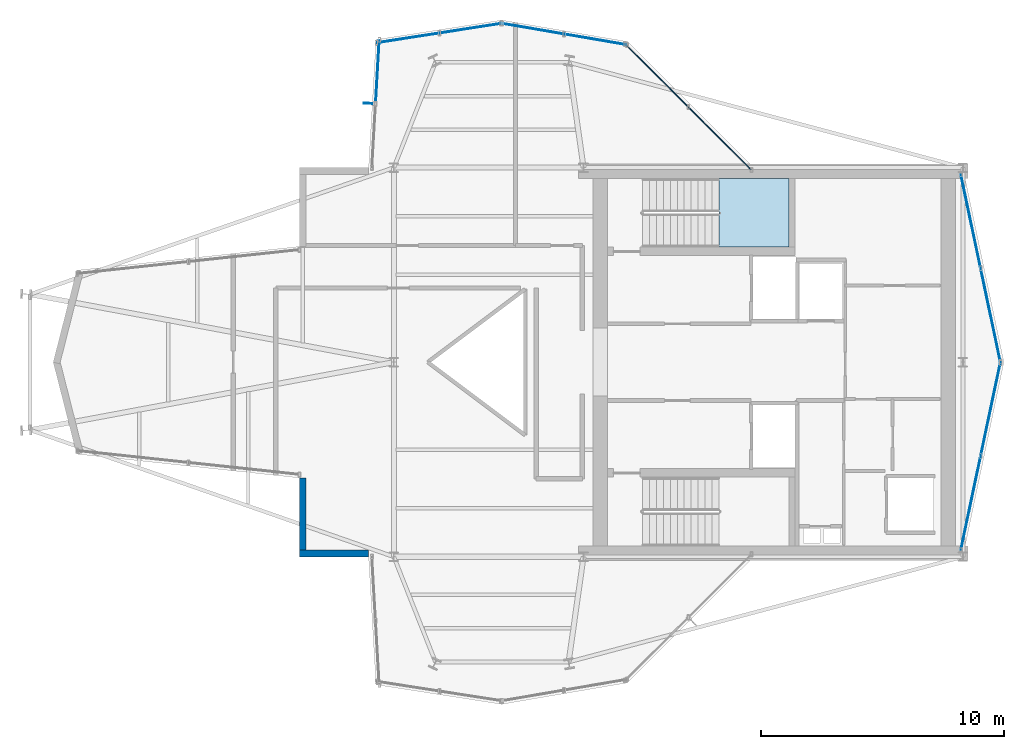
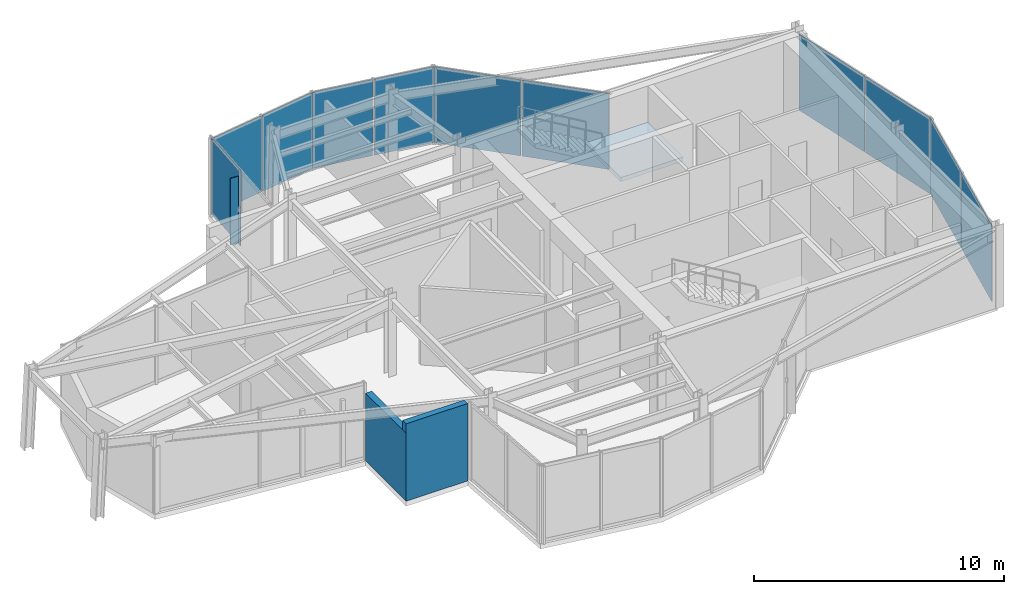
# One storey, part 10 of 13: 12 plates, 2 walls, 1 slab, 7 elements without a shape of their own.
"""IFC4 building model written with IfcOpenShell, lengths in metres."""

from ifc_helpers import new_model, si_unit, direction, frame, frame_2d, origin, origin_2d, place, context, subcontext, project, spatial, polyline, rectangle, outline, extrude, material, layer, layer_set, type_object, element, aggregate, save


model = new_model("IFC4")

# Units and contexts
model_context = context("Model", 3, precision=1e-05, world=origin(), true_north=direction((0.0, 1.0)))
body_context = subcontext(model_context, "Body", "Model", "MODEL_VIEW")
ifc_project = project(units=[si_unit("LENGTHUNIT", "METRE"), si_unit("AREAUNIT", "SQUARE_METRE"), si_unit("VOLUMEUNIT", "CUBIC_METRE"), si_unit("PLANEANGLEUNIT", "RADIAN"), si_unit("MASSUNIT", "GRAM", prefix="KILO")], contexts=[model_context])

# Site, building, storey
site_placement = place(None, origin())
site = spatial("IfcSite", under=ifc_project, at=site_placement, CompositionType="ELEMENT")
building_placement = place(site_placement, origin())
building = spatial("IfcBuilding", under=site, at=building_placement, Name="Veymaron Broadcast Tower", CompositionType="ELEMENT")
storey_placement = place(building_placement, frame((0.0, 0.0, 311.39990234375)))
storey = spatial("IfcBuildingStorey", under=building, at=storey_placement, Name="L73", CompositionType="ELEMENT", Elevation=311.39990234375)

# Curtain wall, plates
ifc_material_1 = material(Name="Anodised aluminium AA 6063-T6 and laminated low-E dark glass", Category="aluminium")
ifc_layer_1 = layer(ifc_material_1, 0.179931640625)
ifc_layer_set_1 = layer_set([ifc_layer_1], Name="Anodised aluminium AA 6063-T6 and laminated low-E dark glass")
curtain_wall_type = type_object("IfcCurtainWallType", Name="CW-SYS-06", PredefinedType="NOTDEFINED", material=ifc_layer_set_1)
curtain_wall_1_placement = place(storey_placement, origin())
curtain_wall_1 = element("IfcCurtainWall", 1, at=curtain_wall_1_placement, inside=storey, type_object=curtain_wall_type, Name="L73 dark-glass curtain wall CW-L73-E2-1", PredefinedType="NOTDEFINED")
ifc_material_2 = material(Name="Insulated dark-anodised aluminium spandrel panel 40 mm", Category="aluminium")
ifc_layer_2 = layer(ifc_material_2, 0.0400390625)
ifc_layer_set_2 = layer_set([ifc_layer_2], Name="Insulated dark-anodised aluminium spandrel panel 40 mm")
plate_type_1 = type_object("IfcPlateType", Name="CW-PNL-03", PredefinedType="CURTAIN_PANEL", material=ifc_layer_set_2)
plate_1_placement = place(storey_placement, frame((54.921630859375, 18.202392578125, 0.0400390625), z_axis=(0.0, 0.0, 1.0), x_axis=(0.20651158288, 0.97844415586, 0.0)))
plate_1 = element("IfcPlate", 2, at=plate_1_placement, type_object=plate_type_1, Name="CW-L73-E2-1 unitised curtain panel 0", PredefinedType="CURTAIN_PANEL", context=body_context, shape_type="SweptSolid", body=[
    extrude(rectangle(XDim=3.909912109375, YDim=0.0400390625, at=origin_2d()), origin(), (0.0, 0.0, 1.0), 3.699951171875),
])
plate_2_placement = place(storey_placement, frame((55.741455078125, 22.0869140625, 0.0400390625), z_axis=(0.0, 0.0, 1.0), x_axis=(0.20651158288, 0.97844415586, 0.0)))
plate_2 = element("IfcPlate", 3, at=plate_2_placement, type_object=plate_type_1, Name="CW-L73-E2-1 unitised curtain panel 1", PredefinedType="CURTAIN_PANEL", context=body_context, shape_type="SweptSolid", body=[
    extrude(rectangle(XDim=3.909912109375, YDim=0.0400390625, at=origin_2d()), origin(), (0.0, 0.0, 1.0), 3.699951171875),
])
aggregate(curtain_wall_1, [plate_1, plate_2])

curtain_wall_2_placement = place(storey_placement, origin())
curtain_wall_2 = element("IfcCurtainWall", 4, at=curtain_wall_2_placement, inside=storey, type_object=curtain_wall_type, Name="L73 dark-glass curtain wall CW-L73-E3-1", PredefinedType="NOTDEFINED")
plate_3_placement = place(storey_placement, frame((55.741455078125, 25.9130859375, 0.0400390625), z_axis=(0.0, 0.0, 1.0), x_axis=(-0.20651158288, 0.97844415586, 0.0)))
plate_3 = element("IfcPlate", 5, at=plate_3_placement, type_object=plate_type_1, Name="CW-L73-E3-1 unitised curtain panel 0", PredefinedType="CURTAIN_PANEL", context=body_context, shape_type="SweptSolid", body=[
    extrude(rectangle(XDim=3.909912109375, YDim=0.0400390625, at=origin_2d()), origin(), (0.0, 0.0, 1.0), 3.699951171875),
])
plate_4_placement = place(storey_placement, frame((54.921630859375, 29.797607421875, 0.0400390625), z_axis=(0.0, 0.0, 1.0), x_axis=(-0.20651158288, 0.97844415586, 0.0)))
plate_4 = element("IfcPlate", 6, at=plate_4_placement, type_object=plate_type_1, Name="CW-L73-E3-1 unitised curtain panel 1", PredefinedType="CURTAIN_PANEL", context=body_context, shape_type="SweptSolid", body=[
    extrude(rectangle(XDim=3.909912109375, YDim=0.0400390625, at=origin_2d()), origin(), (0.0, 0.0, 1.0), 3.699951171875),
])
aggregate(curtain_wall_2, [plate_3, plate_4])

curtain_wall_3_placement = place(storey_placement, origin())
curtain_wall_3 = element("IfcCurtainWall", 7, at=curtain_wall_3_placement, inside=storey, type_object=curtain_wall_type, Name="L73 dark-glass curtain wall CW-L73-E5-1", PredefinedType="NOTDEFINED")
plate_5_placement = place(storey_placement, frame((44.60302734375, 33.197265625, 0.0400390625), z_axis=(0.0, 0.0, 1.0), x_axis=(-0.707402911339, 0.706810526965, 0.0)))
plate_5 = element("IfcPlate", 8, at=plate_5_placement, type_object=plate_type_1, Name="CW-L73-E5-1 unitised curtain panel 0", PredefinedType="CURTAIN_PANEL", context=body_context, shape_type="SweptSolid", body=[
    extrude(rectangle(XDim=3.60791015625, YDim=0.0400390625, at=origin_2d()), origin(), (0.0, 0.0, 1.0), 3.699951171875),
])
plate_6_placement = place(storey_placement, frame((42.00830078125, 35.78955078125, 0.0400390625), z_axis=(0.0, 0.0, 1.0), x_axis=(-0.707402911339, 0.706810526965, 0.0)))
plate_6 = element("IfcPlate", 9, at=plate_6_placement, type_object=plate_type_1, Name="CW-L73-E5-1 unitised curtain panel 1", PredefinedType="CURTAIN_PANEL", context=body_context, shape_type="SweptSolid", body=[
    extrude(rectangle(XDim=3.60791015625, YDim=0.0400390625, at=origin_2d()), origin(), (0.0, 0.0, 1.0), 3.699951171875),
])
aggregate(curtain_wall_3, [plate_5, plate_6])

curtain_wall_4_placement = place(storey_placement, origin())
curtain_wall_4 = element("IfcCurtainWall", 10, at=curtain_wall_4_placement, inside=storey, type_object=curtain_wall_type, Name="L73 dark-glass curtain wall CW-L73-E6-1", PredefinedType="NOTDEFINED")
plate_7_placement = place(storey_placement, frame((39.493408203125, 37.267822265625, 0.0400390625), z_axis=(0.0, 0.0, 1.0), x_axis=(-0.985697587099, 0.168523787004, 0.0)))
plate_7 = element("IfcPlate", 11, at=plate_7_placement, type_object=plate_type_1, Name="CW-L73-E6-1 unitised curtain panel 0", PredefinedType="CURTAIN_PANEL", context=body_context, shape_type="SweptSolid", body=[
    extrude(rectangle(XDim=2.56396484375, YDim=0.0400390625, at=origin_2d()), origin(), (0.0, 0.0, 1.0), 3.699951171875),
])
plate_8_placement = place(storey_placement, frame((36.90673828125, 37.710205078125, 0.0400390625), z_axis=(0.0, 0.0, 1.0), x_axis=(-0.985697587099, 0.168523787004, 0.0)))
plate_8 = element("IfcPlate", 12, at=plate_8_placement, type_object=plate_type_1, Name="CW-L73-E6-1 unitised curtain panel 1", PredefinedType="CURTAIN_PANEL", context=body_context, shape_type="SweptSolid", body=[
    extrude(rectangle(XDim=2.56396484375, YDim=0.0400390625, at=origin_2d()), origin(), (0.0, 0.0, 1.0), 3.699951171875),
])
aggregate(curtain_wall_4, [plate_7, plate_8])

curtain_wall_5_placement = place(storey_placement, origin())
curtain_wall_5 = element("IfcCurtainWall", 13, at=curtain_wall_5_placement, inside=storey, type_object=curtain_wall_type, Name="L73 dark-glass curtain wall CW-L73-E7-1", PredefinedType="NOTDEFINED")
plate_9_placement = place(storey_placement, frame((34.365478515625, 37.72998046875, 0.0400390625), z_axis=(0.0, 0.0, 1.0), x_axis=(-0.988134743341, -0.153589482068, 0.0)))
plate_9 = element("IfcPlate", 14, at=plate_9_placement, type_object=plate_type_1, Name="CW-L73-E7-1 unitised curtain panel 0", PredefinedType="CURTAIN_PANEL", context=body_context, shape_type="SweptSolid", body=[
    extrude(rectangle(XDim=2.5576171875, YDim=0.0400390625, at=origin_2d()), origin(), (0.0, 0.0, 1.0), 3.699951171875),
])
plate_10_placement = place(storey_placement, frame((31.779052734375, 37.327880859375, 0.0400390625), z_axis=(0.0, 0.0, 1.0), x_axis=(-0.988134743341, -0.153589482068, 0.0)))
plate_10 = element("IfcPlate", 15, at=plate_10_placement, type_object=plate_type_1, Name="CW-L73-E7-1 unitised curtain panel 1", PredefinedType="CURTAIN_PANEL", context=body_context, shape_type="SweptSolid", body=[
    extrude(rectangle(XDim=2.5576171875, YDim=0.0400390625, at=origin_2d()), origin(), (0.0, 0.0, 1.0), 3.699951171875),
])
aggregate(curtain_wall_5, [plate_9, plate_10])

# Curtain wall, plate
curtain_wall_6_placement = place(storey_placement, origin())
curtain_wall_6 = element("IfcCurtainWall", 16, at=curtain_wall_6_placement, inside=storey, type_object=curtain_wall_type, Name="L73 dark-glass curtain wall CW-L73-E8-1", PredefinedType="NOTDEFINED")
plate_11_placement = place(storey_placement, frame((30.528076171875, 35.94091796875, 0.0400390625), z_axis=(0.0, 0.0, 1.0), x_axis=(-0.057720845415, -0.998332762161, 0.0)))
plate_11 = element("IfcPlate", 17, at=plate_11_placement, type_object=plate_type_1, Name="CW-L73-E8-1 unitised curtain panel 0", PredefinedType="CURTAIN_PANEL", context=body_context, shape_type="SweptSolid", body=[
    extrude(rectangle(XDim=2.576904296875, YDim=0.0400390625, at=origin_2d()), origin(), (0.0, 0.0, 1.0), 3.699951171875),
])
aggregate(curtain_wall_6, [plate_11])

# Plate
ifc_material_3 = material(Name="Dark-anodised aluminium AA 6061-T6", Category="aluminium")
ifc_layer_3 = layer(ifc_material_3, 0.030029296875)
ifc_layer_set_3 = layer_set([ifc_layer_3], Name="Dark-anodised aluminium AA 6061-T6")
plate_type_2 = type_object("IfcPlateType", Name="FIN-CHEV-02", PredefinedType="USERDEFINED", material=ifc_layer_set_3)
plate_12_placement = place(storey_placement, frame((30.1474609375, 34.64208984375, 0.2646484375), z_axis=(0.0, 0.0, 1.0), x_axis=(-0.998332762161, 0.057720845415, 0.0)))
element("IfcPlate", 18, at=plate_12_placement, inside=storey, type_object=plate_type_2, Name="CW-L73-E8-1 chevron fin 1", ObjectType="FIN", PredefinedType="USERDEFINED", context=body_context, shape_type="SweptSolid", body=[
    extrude(rectangle(XDim=0.35009765625, YDim=0.034912109375, at=origin_2d()), origin(), (0.0, 0.0, 1.0), 3.250732421875),
])

# Stair, slab
ifc_material_4 = material(Name="Concrete C50/60", Category="concrete")
stair_type = type_object("IfcStairType", Name="STAIR-CORE-1", PredefinedType="HALF_TURN_STAIR", material=ifc_material_4)
stair_placement = place(storey_placement, origin())
stair = element("IfcStair", 19, at=stair_placement, inside=storey, type_object=stair_type, Name="L73 North protected dog-leg exit stair ST1", PredefinedType="HALF_TURN_STAIR")
ifc_layer_4 = layer(ifc_material_4, 0.199951171875)
ifc_layer_set_4 = layer_set([ifc_layer_4], Name="Concrete C50/60")
slab_type = type_object("IfcSlabType", Name="SLAB-STAIR-LDG", PredefinedType="LANDING", material=ifc_layer_set_4)
slab_placement = place(storey_placement, frame((0.0, 0.0, 1.8251953125)))
slab = element("IfcSlab", 20, at=slab_placement, type_object=slab_type, Name="ST1 landing 1", PredefinedType="LANDING", context=body_context, shape_type="SweptSolid", body=[
    extrude(outline(polyline([(44.56494140625, 28.72998046875), (47.43994140625, 28.72998046875), (47.43994140625, 31.550048828125), (44.56494140625, 31.550048828125), (44.56494140625, 28.72998046875)])), origin(), (0.0, 0.0, 1.0), 0.199951171875),
])
aggregate(stair, [slab])

# Walls
ifc_material_5 = material(Name="Precast concrete C40/50", Category="concrete")
ifc_layer_5 = layer(ifc_material_5, 0.280029296875)
ifc_layer_set_5 = layer_set([ifc_layer_5], Name="Precast concrete C40/50")
wall_type = type_object("IfcWallType", Name="WALL-EXT-280", PredefinedType="STANDARD", material=ifc_layer_set_5)
wall_1_placement = place(storey_placement, frame((27.45361328125, 19.239990234375, 0.0), z_axis=(0.0, 0.0, 1.0), x_axis=(0.0, -1.0, 0.0)))
element("IfcWall", 21, at=wall_1_placement, inside=storey, type_object=wall_type, Name="L73 notched corner facade pier 15-1", PredefinedType="STANDARD", context=body_context, shape_type="SweptSolid", body=[
    extrude(rectangle(XDim=3.239990234375, YDim=0.280029296875, at=frame_2d((1.6201171875, 0.0))), origin(), (0.0, 0.0, 1.0), 3.30908203125),
])
wall_2_placement = place(storey_placement, frame((27.313720703125, 16.139892578125, 0.0), z_axis=(0.0, 0.0, 1.0), x_axis=(1.0, 0.0, 0.0)))
element("IfcWall", 22, at=wall_2_placement, inside=storey, type_object=wall_type, Name="L73 notched corner facade pier 16-1", PredefinedType="STANDARD", context=body_context, shape_type="SweptSolid", body=[
    extrude(rectangle(XDim=2.84619140625, YDim=0.280029296875, at=frame_2d((1.423095703125, 0.0))), origin(), (0.0, 0.0, 1.0), 3.780029296875),
])

save(model, "model.ifc")
